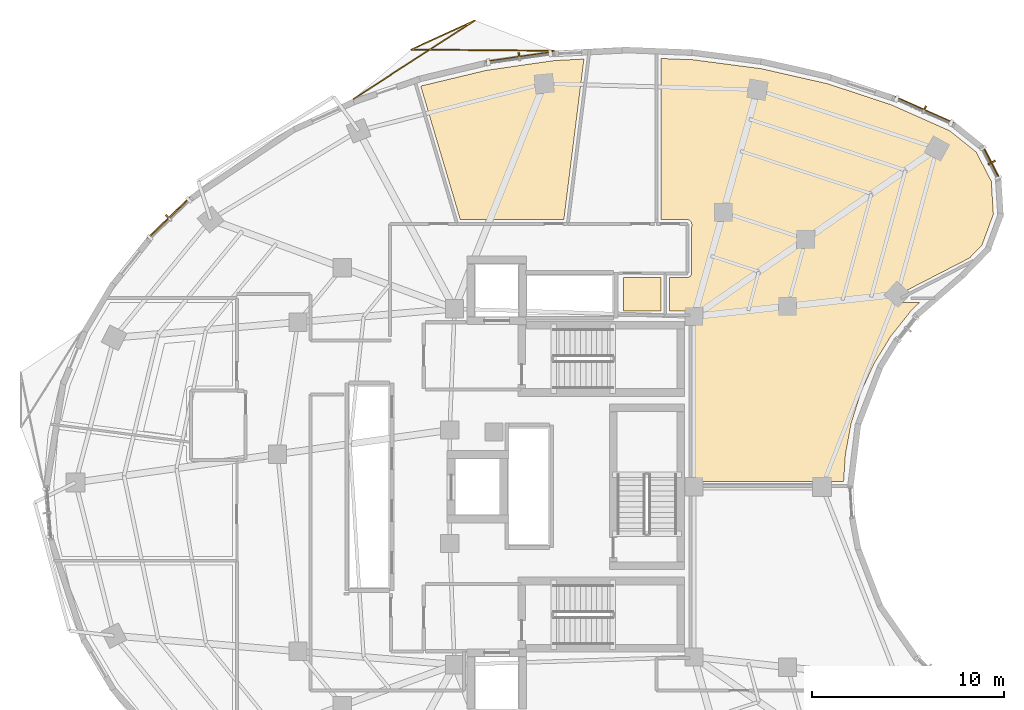
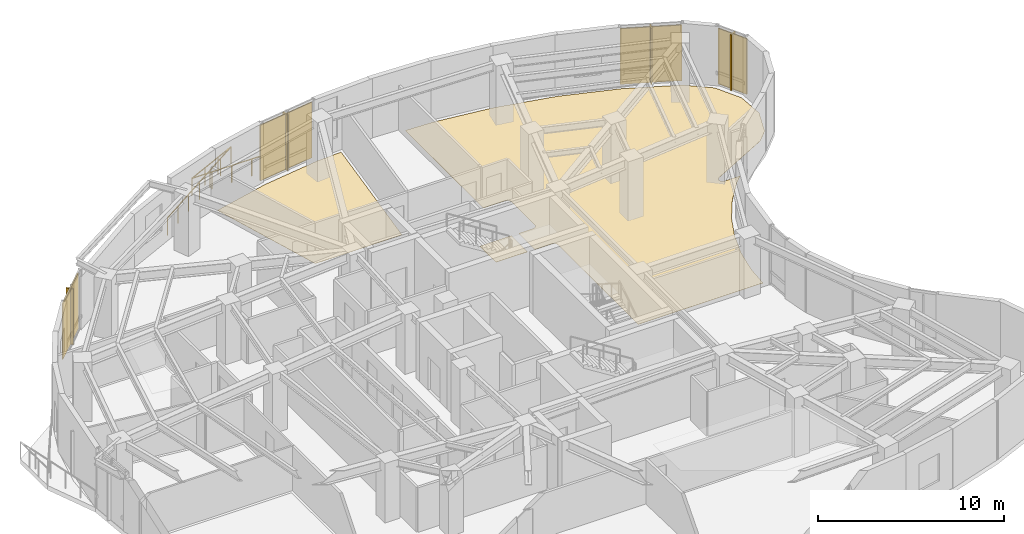
# One storey, part 15 of 15: 8 shading devices, 3 coverings, 1 railing.
"""IFC4 building model written with IfcOpenShell, lengths in metres."""

from ifc_helpers import new_model, si_unit, direction, frame, origin, origin_2d, place, context, subcontext, project, spatial, polyline, rectangle, outline, extrude, material, layer, layer_set, type_object, element, save


model = new_model("IFC4")

# Units and contexts
model_context = context("Model", 3, precision=1e-05, world=origin(), true_north=direction((0.0, 1.0)))
body_context = subcontext(model_context, "Body", "Model", "MODEL_VIEW")
ifc_project = project(units=[si_unit("LENGTHUNIT", "METRE"), si_unit("AREAUNIT", "SQUARE_METRE"), si_unit("VOLUMEUNIT", "CUBIC_METRE"), si_unit("PLANEANGLEUNIT", "RADIAN"), si_unit("MASSUNIT", "GRAM", prefix="KILO")], contexts=[model_context])

# Site, building, storey
site_placement = place(None, origin())
site = spatial("IfcSite", under=ifc_project, at=site_placement, CompositionType="ELEMENT")
building_placement = place(site_placement, origin())
building = spatial("IfcBuilding", under=site, at=building_placement, Name="Korentha Bioscience Tower", CompositionType="ELEMENT")
storey_placement = place(building_placement, frame((0.0, 0.0, 222.60009765625)))
storey = spatial("IfcBuildingStorey", under=building, at=storey_placement, Name="L51", CompositionType="ELEMENT", Elevation=222.60009765625)

# Covering
ifc_material_1 = material(Name="Vitrified Porcelain Tile", Category="ceramic")
ifc_layer_1 = layer(ifc_material_1, 0.014892578125, Name="Vitrified Porcelain Tile")
ifc_layer_set_1 = layer_set([ifc_layer_1], Name="Vitrified Porcelain Tile (FL-CER)")
covering_type_1 = type_object("IfcCoveringType", Name="Anti-Slip Ceramic Wet-Room Tile Flooring 15", PredefinedType="FLOORING", material=ifc_layer_set_1)
covering_1_placement = place(storey_placement, origin())
element("IfcCovering", 1, at=covering_1_placement, inside=storey, type_object=covering_type_1, Name="L51 Accessible Staff WC Floor Finish", PredefinedType="FLOORING", context=body_context, shape_type="SweptSolid", body=[
    extrude(outline(polyline([(33.8701171875, 36.1298828125), (33.8701171875, 37.8701171875), (35.830078125, 37.8701171875), (35.830078125, 36.1298828125), (33.8701171875, 36.1298828125)])), origin(), (0.0, 0.0, 1.0), 0.014892578125),
])

# Railing
ifc_material_2 = material(Name="Laminated Tempered Safety Glass", Category="glass")
railing_type = type_object("IfcRailingType", Name="Laminated Glass Balcony Guardrail 1150", PredefinedType="BALUSTRADE", material=ifc_material_2)
railing_placement = place(storey_placement, frame((30.249755859375, 49.657958984375, 0.0)))
element("IfcRailing", 2, at=railing_placement, inside=storey, type_object=railing_type, Name="L51 Balcony Guardrail 01", PredefinedType="BALUSTRADE", context=body_context, shape_type="SweptSolid", body=[
    extrude(rectangle(XDim=0.048095703125, YDim=0.048095703125, at=origin_2d()), frame((0.0, 0.0, 1.1259765625), z_axis=(-0.999962924787, 0.008610984307, 0.0), x_axis=(-0.008610984307, -0.999962924787, 0.0)), (0.0, 0.0, 1.0), 7.39990234375),
    extrude(rectangle(XDim=0.048095703125, YDim=0.048095703125, at=origin_2d()), frame((-7.399658203125, 0.063720703125, 1.1259765625), z_axis=(0.909596068409, 0.415493673038, 0.0), x_axis=(-0.415493673038, 0.909596068409, 0.0)), (0.0, 0.0, 1.0), 3.64306640625),
    extrude(rectangle(XDim=0.048095703125, YDim=0.048095703125, at=origin_2d()), frame((-4.0859375, 1.577392578125, 1.1259765625), z_axis=(-0.840110829976, -0.542414779811, 0.0), x_axis=(0.542414779811, -0.840110829976, 0.0)), (0.0, 0.0, 1.0), 7.4931640625),
    extrude(rectangle(XDim=0.0419921875, YDim=0.0419921875, at=origin_2d()), origin(), (0.0, 0.0, 1.0), 1.101806640625),
    extrude(rectangle(XDim=0.0419921875, YDim=0.0419921875, at=origin_2d()), frame((-1.2333984375, 0.0107421875, 0.0)), (0.0, 0.0, 1.0), 1.101806640625),
    extrude(rectangle(XDim=0.0419921875, YDim=0.0419921875, at=origin_2d()), frame((-2.466552734375, 0.021240234375, 0.0)), (0.0, 0.0, 1.0), 1.101806640625),
    extrude(rectangle(XDim=0.0419921875, YDim=0.0419921875, at=origin_2d()), frame((-3.69970703125, 0.03173828125, 0.0)), (0.0, 0.0, 1.0), 1.101806640625),
    extrude(rectangle(XDim=0.0419921875, YDim=0.0419921875, at=origin_2d()), frame((-4.93310546875, 0.04248046875, 0.0)), (0.0, 0.0, 1.0), 1.101806640625),
    extrude(rectangle(XDim=0.0419921875, YDim=0.0419921875, at=origin_2d()), frame((-6.16650390625, 0.05322265625, 0.0)), (0.0, 0.0, 1.0), 1.101806640625),
    extrude(rectangle(XDim=0.0419921875, YDim=0.0419921875, at=origin_2d()), frame((-7.399658203125, 0.063720703125, 0.0)), (0.0, 0.0, 1.0), 1.101806640625),
    extrude(rectangle(XDim=0.0419921875, YDim=0.0419921875, at=origin_2d()), frame((-6.295166015625, 0.568359375, 0.0)), (0.0, 0.0, 1.0), 1.101806640625),
    extrude(rectangle(XDim=0.0419921875, YDim=0.0419921875, at=origin_2d()), frame((-5.1904296875, 1.07275390625, 0.0)), (0.0, 0.0, 1.0), 1.101806640625),
    extrude(rectangle(XDim=0.0419921875, YDim=0.0419921875, at=origin_2d()), frame((-4.0859375, 1.577392578125, 0.0)), (0.0, 0.0, 1.0), 1.101806640625),
    extrude(rectangle(XDim=0.0419921875, YDim=0.0419921875, at=origin_2d()), frame((-5.13525390625, 0.89990234375, 0.0)), (0.0, 0.0, 1.0), 1.101806640625),
    extrude(rectangle(XDim=0.0419921875, YDim=0.0419921875, at=origin_2d()), frame((-6.184326171875, 0.22265625, 0.0)), (0.0, 0.0, 1.0), 1.101806640625),
    extrude(rectangle(XDim=0.0419921875, YDim=0.0419921875, at=origin_2d()), frame((-7.2333984375, -0.454833984375, 0.0)), (0.0, 0.0, 1.0), 1.101806640625),
    extrude(rectangle(XDim=0.0419921875, YDim=0.0419921875, at=origin_2d()), frame((-8.28271484375, -1.13232421875, 0.0)), (0.0, 0.0, 1.0), 1.101806640625),
    extrude(rectangle(XDim=0.0419921875, YDim=0.0419921875, at=origin_2d()), frame((-9.33203125, -1.8095703125, 0.0)), (0.0, 0.0, 1.0), 1.101806640625),
    extrude(rectangle(XDim=0.0419921875, YDim=0.0419921875, at=origin_2d()), frame((-10.381103515625, -2.487060546875, 0.0)), (0.0, 0.0, 1.0), 1.101806640625),
])

# Shading devices
ifc_material_3 = material(Name="Perforated Stone-Ceramic Composite", Category="masonry")
ifc_layer_2 = layer(ifc_material_3, 0.06494140625, Name="Perforated Stone-Ceramic Composite")
ifc_layer_set_2 = layer_set([ifc_layer_2], Name="Perforated Stone-Ceramic Composite (CS-01)")
shading_device_type_1 = type_object("IfcShadingDeviceType", Name="Perforated Stone-Ceramic Solar Screen Panel 65", PredefinedType="USERDEFINED", material=ifc_layer_set_2)
shading_device_1_placement = place(storey_placement, frame((49.5126953125, 46.582275390625, 0.0), z_axis=(0.0, 0.0, 1.0), x_axis=(-0.913943941578, 0.405840450983, 0.0)))
element("IfcShadingDevice", 3, at=shading_device_1_placement, inside=storey, type_object=shading_device_type_1, Name="CW-L51-01 Perforated Stone-Ceramic Solar Screen", ObjectType="SCREEN", PredefinedType="USERDEFINED", context=body_context, shape_type="SweptSolid", body=[
    extrude(rectangle(XDim=3.33837890625, YDim=0.06494140625, at=origin_2d()), origin(), (0.0, 0.0, 1.0), 3.64990234375),
])
shading_device_2_placement = place(storey_placement, frame((28.4658203125, 49.341796875, 0.0), z_axis=(0.0, 0.0, 1.0), x_axis=(-0.989901889134, -0.141754188259, 0.0)))
element("IfcShadingDevice", 4, at=shading_device_2_placement, inside=storey, type_object=shading_device_type_1, Name="CW-L51-07 Perforated Stone-Ceramic Solar Screen", ObjectType="SCREEN", PredefinedType="USERDEFINED", context=body_context, shape_type="SweptSolid", body=[
    extrude(rectangle(XDim=3.521484375, YDim=0.06494140625, at=origin_2d()), origin(), (0.0, 0.0, 1.0), 3.64990234375),
])
shading_device_3_placement = place(storey_placement, frame((10.24365234375, 40.961181640625, 0.0), z_axis=(0.0, 0.0, 1.0), x_axis=(-0.719000359175, -0.695009700297, 0.0)))
element("IfcShadingDevice", 5, at=shading_device_3_placement, inside=storey, type_object=shading_device_type_1, Name="CW-L51-13 Perforated Stone-Ceramic Solar Screen", ObjectType="SCREEN", PredefinedType="USERDEFINED", context=body_context, shape_type="SweptSolid", body=[
    extrude(rectangle(XDim=3.01708984375, YDim=0.06494140625, at=origin_2d()), origin(), (0.0, 0.0, 1.0), 3.64990234375),
])
shading_device_4_placement = place(storey_placement, frame((53.003662109375, 43.843505859375, 0.0), z_axis=(0.0, 0.0, 1.0), x_axis=(-0.459738031963, 0.888054582763, 0.0)))
element("IfcShadingDevice", 6, at=shading_device_4_placement, inside=storey, type_object=shading_device_type_1, Name="CW-L51-61 Perforated Stone-Ceramic Solar Screen", ObjectType="SCREEN", PredefinedType="USERDEFINED", context=body_context, shape_type="SweptSolid", body=[
    extrude(rectangle(XDim=1.831298828125, YDim=0.06494140625, at=origin_2d()), origin(), (0.0, 0.0, 1.0), 3.64990234375),
])

# Coverings
ifc_material_4 = material(Name="Chemical-Resistant Epoxy Resin", Category="polymer")
ifc_layer_3 = layer(ifc_material_4, 0.011962890625, Name="Chemical-Resistant Epoxy Resin")
ifc_layer_set_3 = layer_set([ifc_layer_3], Name="Chemical-Resistant Epoxy Resin (FL-EPX)")
covering_type_2 = type_object("IfcCoveringType", Name="Seamless Epoxy Laboratory Flooring 12", PredefinedType="FLOORING", material=ifc_layer_set_3)
covering_2_placement = place(storey_placement, origin())
element("IfcCovering", 7, at=covering_2_placement, inside=storey, type_object=covering_type_2, Name="L51 Scientific Writing Quiet Alcove 07 Floor Finish", PredefinedType="FLOORING", context=body_context, shape_type="SweptSolid", body=[
    extrude(outline(polyline([(35.822021484375, 49.25732421875), (37.4912109375, 49.191650390625), (41.039794921875, 48.726318359375), (44.48681640625, 47.944580078125), (47.78173828125, 46.8583984375), (50.840087890625, 45.500244140625), (52.20947265625, 44.398681640625), (52.99853515625, 42.87451171875), (53.104736328125, 41.16162109375), (52.51025390625, 39.551513671875), (51.86474609375, 38.88525390625), (48.207763671875, 37.001220703125), (48.109130859375, 36.900390625), (48.0869140625, 36.81494140625), (48.107177734375, 36.707763671875), (48.159423828125, 36.636474609375), (48.255615234375, 36.584716796875), (49.269287109375, 36.577880859375), (48.797119140625, 36.109619140625), (47.762451171875, 34.80419921875), (46.89794921875, 33.388671875), (46.224365234375, 31.911376953125), (45.7080078125, 30.27294921875), (45.413330078125, 28.6796875), (45.324951171875, 27.278076171875), (37.580078125, 27.278076171875), (37.57763671875, 35.933349609375), (37.52001953125, 36.0546875), (37.44873046875, 36.107666015625), (37.38427734375, 36.12744140625), (36.280029296875, 36.1298828125), (36.280029296875, 37.8701171875), (37.234130859375, 37.87255859375), (37.35400390625, 37.92919921875), (37.423095703125, 38.043701171875), (37.4296875, 40.661865234375), (37.408203125, 40.747802734375), (37.3701171875, 40.8046875), (37.298828125, 40.857666015625), (37.2333984375, 40.877685546875), (35.822021484375, 40.8798828125), (35.822021484375, 49.25732421875)])), origin(), (0.0, 0.0, 1.0), 0.011962890625),
])
covering_3_placement = place(storey_placement, origin())
element("IfcCovering", 8, at=covering_3_placement, inside=storey, type_object=covering_type_2, Name="L51 Researchers' Reading Lounge 09 Floor Finish", PredefinedType="FLOORING", context=body_context, shape_type="SweptSolid", body=[
    extrude(outline(polyline([(26.760498046875, 48.64306640625), (30.299072265625, 49.14990234375), (31.82470703125, 49.227783203125), (30.78271484375, 40.881103515625), (25.400146484375, 40.8798828125), (23.34326171875, 47.82421875), (26.760498046875, 48.64306640625)])), origin(), (0.0, 0.0, 1.0), 0.011962890625),
])

# Shading devices
ifc_material_5 = material(Name="Honed Travertine Limestone", Category="masonry")
ifc_layer_4 = layer(ifc_material_5, 0.080078125, Name="Honed Travertine Limestone")
ifc_layer_set_4 = layer_set([ifc_layer_4], Name="Honed Travertine Limestone (CS-02)")
shading_device_type_2 = type_object("IfcShadingDeviceType", Name="Vertical Honed Limestone Sunshade Fin 80x420", PredefinedType="USERDEFINED", material=ifc_layer_set_4)
for number, where, z_axis, x_axis, name in (
    (9, (49.520751953125, 46.600341796875, 0.0), (0.0, 0.0, 1.0), (-0.913943941578, 0.405840450983, 0.0), "CW-L51-01 Limestone Sunshade Fin"),
    (10, (28.462890625, 49.361572265625, 0.0), (0.0, 0.0, 1.0), (-0.989901889134, -0.141754188259, 0.0), "CW-L51-07 Limestone Sunshade Fin"),
    (11, (10.229736328125, 40.9755859375, 0.0), (0.0, 0.0, 1.0), (-0.719000359175, -0.695009700297, 0.0), "CW-L51-13 Limestone Sunshade Fin"),
    (12, (53.021484375, 43.8525390625, 0.0), (0.0, 0.0, 1.0), (-0.459738031963, 0.888054582763, 0.0), "CW-L51-61 Limestone Sunshade Fin"),
):
    element("IfcShadingDevice", number, at=place(storey_placement, frame(where, z_axis=z_axis, x_axis=x_axis)), inside=storey, type_object=shading_device_type_2, Name=name, ObjectType="SCREEN", PredefinedType="USERDEFINED", context=body_context, shape_type="SweptSolid", body=[
        extrude(rectangle(XDim=0.080078125, YDim=0.419921875, at=origin_2d()), origin(), (0.0, 0.0, 1.0), 3.64990234375),
    ])

save(model, "model.ifc")
